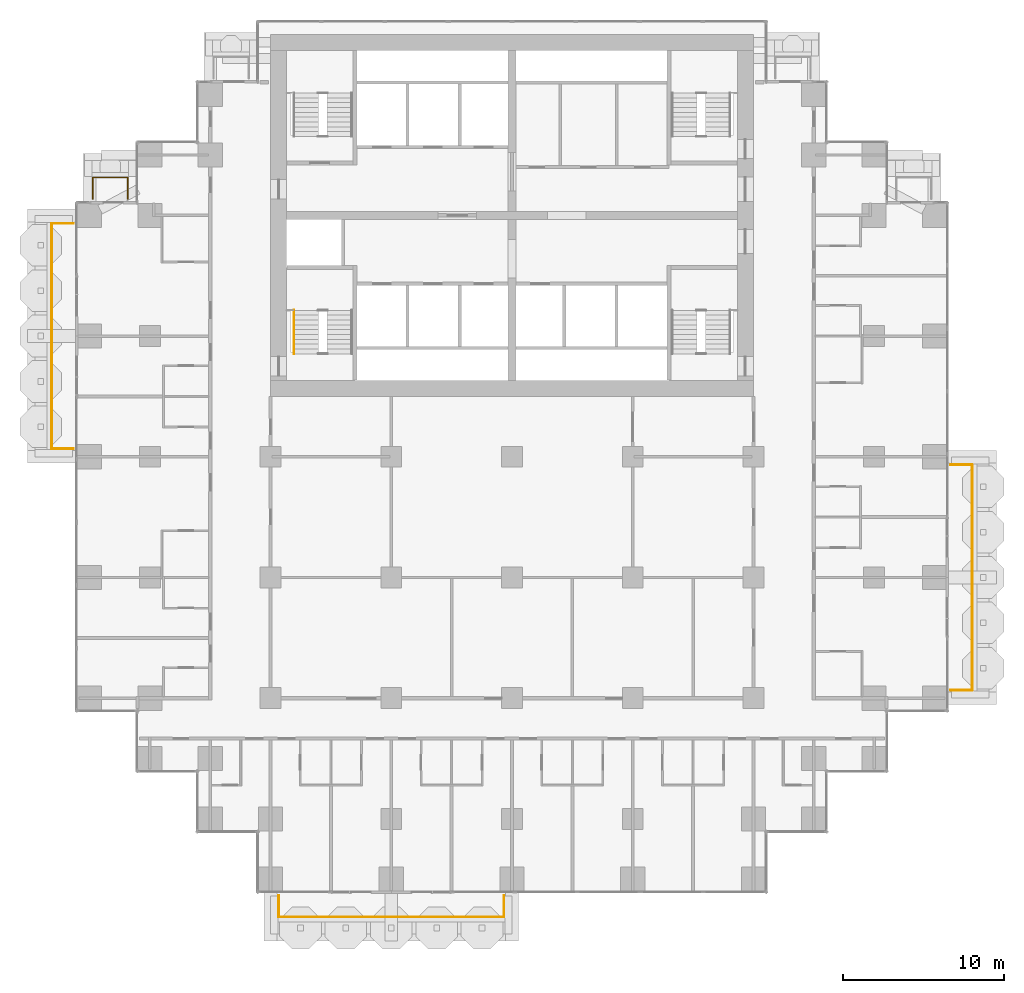
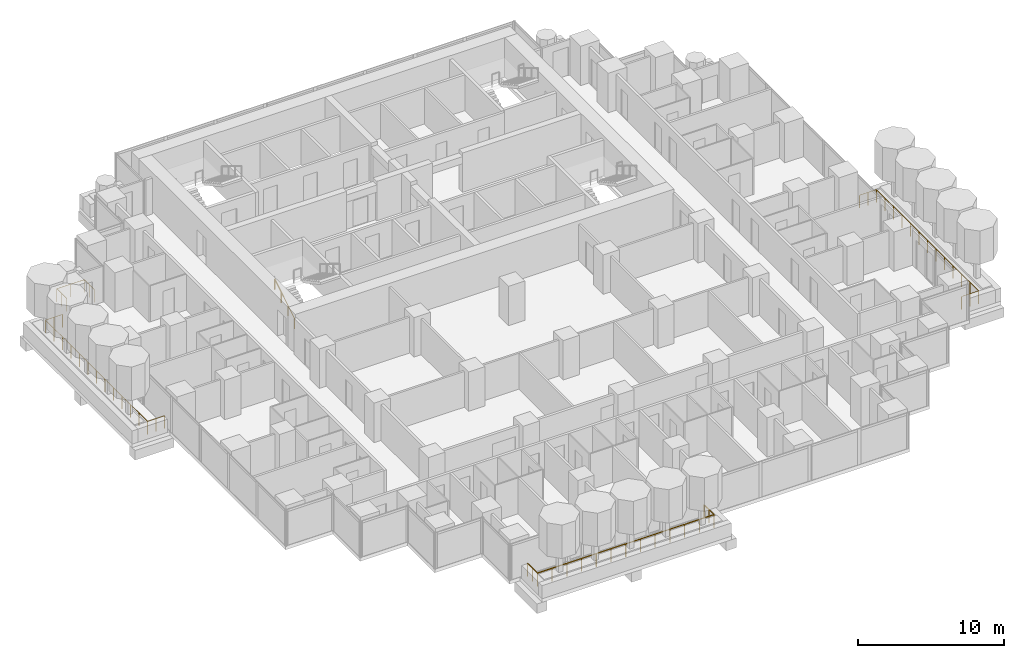
# One storey, part 17 of 19: 5 railings.
"""IFC4 building model written with IfcOpenShell, lengths in metres."""

import ifcopenshell
import ifcopenshell.guid

model = None  # the IFC model being written
_history = None  # IfcOwnerHistory: only IFC2X3 demands one
_inside = {}  # id of a spatial element -> (the spatial element, [elements in it])
_under = {}  # id of a project, library or spatial element -> (it, [spatial elements below it])
_declared = {}  # id of a project -> (the project, [libraries it declares])
_typed = {}  # id of a type object -> (the type object, [elements of that type])
_made_of = {}  # id of a material, layer set ... -> (it, [elements and type objects made of it])


def new_model(schema):
    """Start an empty IFC model of exactly this schema.

    Asked for "IFC4X3", IfcOpenShell would pick the latest addendum, in which some entities
    have other attributes; the version numbers below select the first issue.
    IFC2X3 requires an IfcOwnerHistory on every rooted entity: one is made here for all.
    """
    global model, _history
    if schema == "IFC4X3":
        model = ifcopenshell.file(schema_version=(4, 3, 0, 0))
    else:
        model = ifcopenshell.file(schema=schema)
    _inside.clear()
    _under.clear()
    _declared.clear()
    _typed.clear()
    _made_of.clear()
    _history = None
    if model.schema == "IFC2X3":
        org = make("IfcOrganization", Name="unknown")
        user = make(
            "IfcPersonAndOrganization",
            ThePerson=make("IfcPerson", FamilyName="unknown"),
            TheOrganization=org,
        )
        app = make(
            "IfcApplication",
            ApplicationDeveloper=org,
            Version="unknown",
            ApplicationFullName="unknown",
            ApplicationIdentifier="unknown",
        )
        _history = make(
            "IfcOwnerHistory",
            OwningUser=user,
            OwningApplication=app,
            ChangeAction="ADDED",
            CreationDate=0,
        )
    return model


def make(cls, **values):
    """One entity of the class cls with the attributes given. An attribute that is None is left unset."""
    return model.create_entity(
        cls, **{name: value for name, value in values.items() if value is not None}
    )


def rooted(cls, **values):
    """An entity with a GlobalId (a new one), such as an element, a storey or a relation."""
    return make(cls, GlobalId=ifcopenshell.guid.new(), OwnerHistory=_history, **values)


def si_unit(unit_type, name, prefix=None):
    """IfcSIUnit, for example si_unit("LENGTHUNIT", "METRE", prefix="MILLI")."""
    return make("IfcSIUnit", UnitType=unit_type, Prefix=prefix, Name=name)


def assignment(units):
    """IfcUnitAssignment: the units of a project."""
    return None if units is None else make("IfcUnitAssignment", Units=units)


def point(xyz):
    """IfcCartesianPoint."""
    return None if xyz is None else make("IfcCartesianPoint", Coordinates=xyz)


def direction(xyz):
    """IfcDirection."""
    return None if xyz is None else make("IfcDirection", DirectionRatios=xyz)


def frame(location, z_axis=None, x_axis=None):
    """IfcAxis2Placement3D, a coordinate frame: its origin and axes. An axis left out is left unset."""
    return make(
        "IfcAxis2Placement3D",
        Location=point(location),
        Axis=direction(z_axis),
        RefDirection=direction(x_axis),
    )


def frame_2d(location, x_axis=None):
    """IfcAxis2Placement2D, a coordinate frame in the plane: its origin and x axis."""
    return make(
        "IfcAxis2Placement2D", Location=point(location), RefDirection=direction(x_axis)
    )


def origin():
    """The frame at (0, 0, 0) with its axes left unset."""
    return frame((0.0, 0.0, 0.0))


def origin_2d():
    """The frame at (0, 0) in the plane with its x axis left unset."""
    return frame_2d((0.0, 0.0))


def place(relative_to, where):
    """IfcLocalPlacement: puts the frame where relative to a parent placement (None: the world)."""
    return make(
        "IfcLocalPlacement", PlacementRelTo=relative_to, RelativePlacement=where
    )


def context(
    kind, dimensions, precision=None, world=None, true_north=None, identifier=None
):
    """IfcGeometricRepresentationContext, for example the 3D "Model" context."""
    return make(
        "IfcGeometricRepresentationContext",
        ContextIdentifier=identifier,
        ContextType=kind,
        CoordinateSpaceDimension=dimensions,
        Precision=precision,
        WorldCoordinateSystem=world,
        TrueNorth=true_north,
    )


def subcontext(parent, identifier, kind, view, scale=None):
    """IfcGeometricRepresentationSubContext, for example "Body" below "Model"."""
    return make(
        "IfcGeometricRepresentationSubContext",
        ContextIdentifier=identifier,
        ContextType=kind,
        ParentContext=parent,
        TargetScale=scale,
        TargetView=view,
    )


def project(units=None, contexts=None):
    """IfcProject with its units and contexts."""
    return rooted(
        "IfcProject",
        Name="project",
        RepresentationContexts=contexts,
        UnitsInContext=assignment(units),
    )


def spatial(cls, under=None, at=None, **own):
    """A site, building, storey or space (cls), placed at a placement, below another one or the project."""
    s = rooted(cls, ObjectPlacement=at, **own)
    if under is not None:
        _under.setdefault(under.id(), (under, []))[1].append(s)
    return s


def profile(cls, at=None, kind="AREA", **sizes):
    """A parametric profile (cls). Its sizes go by their IFC names, for example OverallWidth=200.0."""
    return make(cls, ProfileType=kind, Position=at, **sizes)


def circle(**sizes):
    """IfcCircleProfileDef."""
    return profile("IfcCircleProfileDef", **sizes)


def extrude(swept, where, along, depth):
    """IfcExtrudedAreaSolid: the profile swept, set in the frame where, extruded along a direction by depth."""
    return make(
        "IfcExtrudedAreaSolid",
        SweptArea=swept,
        Position=where,
        ExtrudedDirection=direction(along),
        Depth=depth,
    )


def shape(context_of_items, identifier, shape_type, items):
    """IfcShapeRepresentation: the items that make up one representation, for example the "Body"."""
    return make(
        "IfcShapeRepresentation",
        ContextOfItems=context_of_items,
        RepresentationIdentifier=identifier,
        RepresentationType=shape_type,
        Items=items,
    )


def material(Name=None, Category=None):
    """IfcMaterial."""
    return make("IfcMaterial", Name=Name, Category=Category)


def made_of(thing, what):
    """Note that an element or type object is made of a material, layer set ...; save() writes the relation."""
    if what is not None:
        _made_of.setdefault(what.id(), (what, []))[1].append(thing)
    return thing


def type_object(cls, material=None, **own):
    """A type object (cls), such as IfcWallType, which elements share."""
    return made_of(rooted(cls, **own), material)


def element(
    cls,
    number,
    at=None,
    inside=None,
    cuts=None,
    type_object=None,
    material=None,
    context=None,
    identifier="Body",
    shape_type=None,
    held_by="IfcProductDefinitionShape",
    body=None,
    shapes=None,
    **own,
):
    """One element of the class cls, such as IfcWall. Its Tag is "e" and its number.

    at: its placement. inside: the storey or other place that contains it. cuts: it is an
    opening in that element (IfcRelVoidsElement). A single representation is given by context,
    identifier, shape_type and body (its items); several are given by shapes. held_by: the class
    of the entity that holds the representations. save() writes the other relations.
    """
    e = rooted(cls, Tag="e%d" % number, ObjectPlacement=at, **own)
    if body is not None:
        shapes = [shape(context, identifier, shape_type, body)]
    if shapes is not None:
        e.Representation = make(held_by, Representations=shapes)
    if inside is not None:
        _inside.setdefault(inside.id(), (inside, []))[1].append(e)
    if cuts is not None:
        rooted(
            "IfcRelVoidsElement", RelatingBuildingElement=cuts, RelatedOpeningElement=e
        )
    if type_object is not None:
        _typed.setdefault(type_object.id(), (type_object, []))[1].append(e)
    return made_of(e, material)


def aggregate(whole, parts):
    """IfcRelAggregates: a whole, such as a stair, and the parts it consists of."""
    return rooted("IfcRelAggregates", RelatingObject=whole, RelatedObjects=parts)


def save(model, path):
    """Write the relations noted so far, then the file.

    IfcRelAggregates (storeys below a building ...), IfcRelContainedInSpatialStructure (elements
    in a storey), IfcRelDefinesByType, IfcRelAssociatesMaterial and IfcRelDeclares: one each for
    every whole, place, type object, material and project.
    """
    for whole, parts in _under.values():
        aggregate(whole, parts)
    for where, things in _inside.values():
        rooted(
            "IfcRelContainedInSpatialStructure",
            RelatedElements=things,
            RelatingStructure=where,
        )
    for kind, things in _typed.values():
        rooted("IfcRelDefinesByType", RelatedObjects=things, RelatingType=kind)
    for what, things in _made_of.values():
        rooted("IfcRelAssociatesMaterial", RelatedObjects=things, RelatingMaterial=what)
    for by, libraries in _declared.values():
        rooted("IfcRelDeclares", RelatingContext=by, RelatedDefinitions=libraries)
    model.write(path)


model = new_model("IFC4")

# Units and contexts
model_context = context("Model", 3, precision=1e-05, world=origin(), true_north=direction((0.0, 1.0)))
body_context = subcontext(model_context, "Body", "Model", "MODEL_VIEW")
ifc_project = project(units=[si_unit("LENGTHUNIT", "METRE"), si_unit("AREAUNIT", "SQUARE_METRE"), si_unit("VOLUMEUNIT", "CUBIC_METRE"), si_unit("PLANEANGLEUNIT", "RADIAN"), si_unit("MASSUNIT", "GRAM", prefix="KILO")], contexts=[model_context])

# Site, building, storey
site_placement = place(None, origin())
site = spatial("IfcSite", under=ifc_project, at=site_placement, CompositionType="ELEMENT")
building_placement = place(site_placement, origin())
building = spatial("IfcBuilding", under=site, at=building_placement, Name="Pilkhan Gate Tower", CompositionType="ELEMENT")
storey_placement = place(building_placement, frame((0.0, 0.0, 69.199951171875)))
storey = spatial("IfcBuildingStorey", under=building, at=storey_placement, Name="L15", CompositionType="ELEMENT", Elevation=69.199951171875)

# Railings
ifc_material_1 = material(Name="Pale anodised aluminium posts, laminated glass infill", Category="aluminium")
railing_type_1 = type_object("IfcRailingType", Name="Balcony guard G1", PredefinedType="BALUSTRADE", material=ifc_material_1)
railing_1_placement = place(storey_placement, frame((60.5, 40.25, 0.0)))
element("IfcRailing", 1, at=railing_1_placement, inside=storey, type_object=railing_type_1, Name="Balcony guard L15 S", PredefinedType="BALUSTRADE", context=body_context, shape_type="SweptSolid", body=[
    extrude(circle(Radius=0.02392578125, at=origin_2d()), frame((0.0, 0.0, 1.076171875), z_axis=(0.0, -1.0, 0.0), x_axis=(1.0, 0.0, 0.0)), (0.0, 0.0, 1.0), 1.35009765625),
    extrude(circle(Radius=0.02392578125, at=origin_2d()), frame((0.0, -1.35009765625, 1.076171875), z_axis=(1.0, 0.0, 0.0), x_axis=(0.0, 1.0, 0.0)), (0.0, 0.0, 1.0), 14.0),
    extrude(circle(Radius=0.02392578125, at=origin_2d()), frame((14.0, -1.35009765625, 1.076171875), z_axis=(0.0, 1.0, 0.0), x_axis=(-1.0, 0.0, 0.0)), (0.0, 0.0, 1.0), 1.35009765625),
    extrude(circle(Radius=0.02099609375, at=origin_2d()), origin(), (0.0, 0.0, 1.0), 1.052001953125),
    extrude(circle(Radius=0.02099609375, at=origin_2d()), frame((0.0, -0.675048828125, 0.0)), (0.0, 0.0, 1.0), 1.052001953125),
    extrude(circle(Radius=0.02099609375, at=origin_2d()), frame((0.0, -1.35009765625, 0.0)), (0.0, 0.0, 1.0), 1.052001953125),
    extrude(circle(Radius=0.02099609375, at=origin_2d()), frame((1.166748046875, -1.35009765625, 0.0)), (0.0, 0.0, 1.0), 1.052001953125),
    extrude(circle(Radius=0.02099609375, at=origin_2d()), frame((2.333251953125, -1.35009765625, 0.0)), (0.0, 0.0, 1.0), 1.052001953125),
    extrude(circle(Radius=0.02099609375, at=origin_2d()), frame((3.5, -1.35009765625, 0.0)), (0.0, 0.0, 1.0), 1.052001953125),
    extrude(circle(Radius=0.02099609375, at=origin_2d()), frame((4.666748046875, -1.35009765625, 0.0)), (0.0, 0.0, 1.0), 1.052001953125),
    extrude(circle(Radius=0.02099609375, at=origin_2d()), frame((5.833251953125, -1.35009765625, 0.0)), (0.0, 0.0, 1.0), 1.052001953125),
    extrude(circle(Radius=0.02099609375, at=origin_2d()), frame((7.0, -1.35009765625, 0.0)), (0.0, 0.0, 1.0), 1.052001953125),
    extrude(circle(Radius=0.02099609375, at=origin_2d()), frame((8.166748046875, -1.35009765625, 0.0)), (0.0, 0.0, 1.0), 1.052001953125),
    extrude(circle(Radius=0.02099609375, at=origin_2d()), frame((9.333251953125, -1.35009765625, 0.0)), (0.0, 0.0, 1.0), 1.052001953125),
    extrude(circle(Radius=0.02099609375, at=origin_2d()), frame((10.5, -1.35009765625, 0.0)), (0.0, 0.0, 1.0), 1.052001953125),
    extrude(circle(Radius=0.02099609375, at=origin_2d()), frame((11.666748046875, -1.35009765625, 0.0)), (0.0, 0.0, 1.0), 1.052001953125),
    extrude(circle(Radius=0.02099609375, at=origin_2d()), frame((12.833251953125, -1.35009765625, 0.0)), (0.0, 0.0, 1.0), 1.052001953125),
    extrude(circle(Radius=0.02099609375, at=origin_2d()), frame((14.0, -1.35009765625, 0.0)), (0.0, 0.0, 1.0), 1.052001953125),
    extrude(circle(Radius=0.02099609375, at=origin_2d()), frame((14.0, -0.675048828125, 0.0)), (0.0, 0.0, 1.0), 1.052001953125),
    extrude(circle(Radius=0.02099609375, at=origin_2d()), frame((14.0, 0.0, 0.0)), (0.0, 0.0, 1.0), 1.052001953125),
])
railing_2_placement = place(storey_placement, frame((102.25, 53.0, 0.0)))
element("IfcRailing", 2, at=railing_2_placement, inside=storey, type_object=railing_type_1, Name="Balcony guard L15 E", PredefinedType="BALUSTRADE", context=body_context, shape_type="SweptSolid", body=[
    extrude(circle(Radius=0.02392578125, at=origin_2d()), frame((0.0, 0.0, 1.076171875), z_axis=(1.0, 0.0, 0.0), x_axis=(0.0, 1.0, 0.0)), (0.0, 0.0, 1.0), 1.35009765625),
    extrude(circle(Radius=0.02392578125, at=origin_2d()), frame((1.35009765625, 0.0, 1.076171875), z_axis=(0.0, 1.0, 0.0), x_axis=(-1.0, 0.0, 0.0)), (0.0, 0.0, 1.0), 14.0),
    extrude(circle(Radius=0.02392578125, at=origin_2d()), frame((1.35009765625, 14.0, 1.076171875), z_axis=(-1.0, 0.0, 0.0), x_axis=(0.0, -1.0, 0.0)), (0.0, 0.0, 1.0), 1.35009765625),
    extrude(circle(Radius=0.02099609375, at=origin_2d()), origin(), (0.0, 0.0, 1.0), 1.052001953125),
    extrude(circle(Radius=0.02099609375, at=origin_2d()), frame((0.675048828125, 0.0, 0.0)), (0.0, 0.0, 1.0), 1.052001953125),
    extrude(circle(Radius=0.02099609375, at=origin_2d()), frame((1.35009765625, 0.0, 0.0)), (0.0, 0.0, 1.0), 1.052001953125),
    extrude(circle(Radius=0.02099609375, at=origin_2d()), frame((1.35009765625, 1.166748046875, 0.0)), (0.0, 0.0, 1.0), 1.052001953125),
    extrude(circle(Radius=0.02099609375, at=origin_2d()), frame((1.35009765625, 2.333251953125, 0.0)), (0.0, 0.0, 1.0), 1.052001953125),
    extrude(circle(Radius=0.02099609375, at=origin_2d()), frame((1.35009765625, 3.5, 0.0)), (0.0, 0.0, 1.0), 1.052001953125),
    extrude(circle(Radius=0.02099609375, at=origin_2d()), frame((1.35009765625, 4.666748046875, 0.0)), (0.0, 0.0, 1.0), 1.052001953125),
    extrude(circle(Radius=0.02099609375, at=origin_2d()), frame((1.35009765625, 5.833251953125, 0.0)), (0.0, 0.0, 1.0), 1.052001953125),
    extrude(circle(Radius=0.02099609375, at=origin_2d()), frame((1.35009765625, 7.0, 0.0)), (0.0, 0.0, 1.0), 1.052001953125),
    extrude(circle(Radius=0.02099609375, at=origin_2d()), frame((1.35009765625, 8.166748046875, 0.0)), (0.0, 0.0, 1.0), 1.052001953125),
    extrude(circle(Radius=0.02099609375, at=origin_2d()), frame((1.35009765625, 9.333251953125, 0.0)), (0.0, 0.0, 1.0), 1.052001953125),
    extrude(circle(Radius=0.02099609375, at=origin_2d()), frame((1.35009765625, 10.5, 0.0)), (0.0, 0.0, 1.0), 1.052001953125),
    extrude(circle(Radius=0.02099609375, at=origin_2d()), frame((1.35009765625, 11.666748046875, 0.0)), (0.0, 0.0, 1.0), 1.052001953125),
    extrude(circle(Radius=0.02099609375, at=origin_2d()), frame((1.35009765625, 12.833251953125, 0.0)), (0.0, 0.0, 1.0), 1.052001953125),
    extrude(circle(Radius=0.02099609375, at=origin_2d()), frame((1.35009765625, 14.0, 0.0)), (0.0, 0.0, 1.0), 1.052001953125),
    extrude(circle(Radius=0.02099609375, at=origin_2d()), frame((0.675048828125, 14.0, 0.0)), (0.0, 0.0, 1.0), 1.052001953125),
    extrude(circle(Radius=0.02099609375, at=origin_2d()), frame((0.0, 14.0, 0.0)), (0.0, 0.0, 1.0), 1.052001953125),
])
railing_3_placement = place(storey_placement, frame((48.949951171875, 83.52001953125, 0.0)))
element("IfcRailing", 3, at=railing_3_placement, inside=storey, type_object=railing_type_1, Name="Balcony guard L15 N", PredefinedType="BALUSTRADE", context=body_context, shape_type="SweptSolid", body=[
    extrude(circle(Radius=0.02392578125, at=origin_2d()), frame((0.0, 0.0, 1.076171875), z_axis=(0.0, 1.0, 0.0), x_axis=(-1.0, 0.0, 0.0)), (0.0, 0.0, 1.0), 1.330078125),
    extrude(circle(Radius=0.02392578125, at=origin_2d()), frame((0.0, 1.330078125, 1.076171875), z_axis=(1.0, 0.0, 0.0), x_axis=(0.0, 1.0, 0.0)), (0.0, 0.0, 1.0), 2.179931640625),
    extrude(circle(Radius=0.02392578125, at=origin_2d()), frame((2.179931640625, 1.330078125, 1.076171875), z_axis=(0.0, -1.0, 0.0), x_axis=(1.0, 0.0, 0.0)), (0.0, 0.0, 1.0), 1.330078125),
    extrude(circle(Radius=0.02099609375, at=origin_2d()), origin(), (0.0, 0.0, 1.0), 1.052001953125),
    extrude(circle(Radius=0.02099609375, at=origin_2d()), frame((0.0, 0.6650390625, 0.0)), (0.0, 0.0, 1.0), 1.052001953125),
    extrude(circle(Radius=0.02099609375, at=origin_2d()), frame((0.0, 1.330078125, 0.0)), (0.0, 0.0, 1.0), 1.052001953125),
    extrude(circle(Radius=0.02099609375, at=origin_2d()), frame((1.08984375, 1.330078125, 0.0)), (0.0, 0.0, 1.0), 1.052001953125),
    extrude(circle(Radius=0.02099609375, at=origin_2d()), frame((2.179931640625, 1.330078125, 0.0)), (0.0, 0.0, 1.0), 1.052001953125),
    extrude(circle(Radius=0.02099609375, at=origin_2d()), frame((2.179931640625, 0.6650390625, 0.0)), (0.0, 0.0, 1.0), 1.052001953125),
    extrude(circle(Radius=0.02099609375, at=origin_2d()), frame((2.179931640625, 0.0, 0.0)), (0.0, 0.0, 1.0), 1.052001953125),
])
railing_4_placement = place(storey_placement, frame((47.75, 68.0, 0.0)))
element("IfcRailing", 4, at=railing_4_placement, inside=storey, type_object=railing_type_1, Name="Balcony guard L15 W", PredefinedType="BALUSTRADE", context=body_context, shape_type="SweptSolid", body=[
    extrude(circle(Radius=0.02392578125, at=origin_2d()), frame((0.0, 0.0, 1.076171875), z_axis=(-1.0, 0.0, 0.0), x_axis=(0.0, -1.0, 0.0)), (0.0, 0.0, 1.0), 1.35009765625),
    extrude(circle(Radius=0.02392578125, at=origin_2d()), frame((-1.35009765625, 0.0, 1.076171875), z_axis=(0.0, 1.0, 0.0), x_axis=(-1.0, 0.0, 0.0)), (0.0, 0.0, 1.0), 14.0),
    extrude(circle(Radius=0.02392578125, at=origin_2d()), frame((-1.35009765625, 14.0, 1.076171875), z_axis=(1.0, 0.0, 0.0), x_axis=(0.0, 1.0, 0.0)), (0.0, 0.0, 1.0), 1.35009765625),
    extrude(circle(Radius=0.02099609375, at=origin_2d()), origin(), (0.0, 0.0, 1.0), 1.052001953125),
    extrude(circle(Radius=0.02099609375, at=origin_2d()), frame((-0.675048828125, 0.0, 0.0)), (0.0, 0.0, 1.0), 1.052001953125),
    extrude(circle(Radius=0.02099609375, at=origin_2d()), frame((-1.35009765625, 0.0, 0.0)), (0.0, 0.0, 1.0), 1.052001953125),
    extrude(circle(Radius=0.02099609375, at=origin_2d()), frame((-1.35009765625, 1.166748046875, 0.0)), (0.0, 0.0, 1.0), 1.052001953125),
    extrude(circle(Radius=0.02099609375, at=origin_2d()), frame((-1.35009765625, 2.333251953125, 0.0)), (0.0, 0.0, 1.0), 1.052001953125),
    extrude(circle(Radius=0.02099609375, at=origin_2d()), frame((-1.35009765625, 3.5, 0.0)), (0.0, 0.0, 1.0), 1.052001953125),
    extrude(circle(Radius=0.02099609375, at=origin_2d()), frame((-1.35009765625, 4.666748046875, 0.0)), (0.0, 0.0, 1.0), 1.052001953125),
    extrude(circle(Radius=0.02099609375, at=origin_2d()), frame((-1.35009765625, 5.833251953125, 0.0)), (0.0, 0.0, 1.0), 1.052001953125),
    extrude(circle(Radius=0.02099609375, at=origin_2d()), frame((-1.35009765625, 7.0, 0.0)), (0.0, 0.0, 1.0), 1.052001953125),
    extrude(circle(Radius=0.02099609375, at=origin_2d()), frame((-1.35009765625, 8.166748046875, 0.0)), (0.0, 0.0, 1.0), 1.052001953125),
    extrude(circle(Radius=0.02099609375, at=origin_2d()), frame((-1.35009765625, 9.333251953125, 0.0)), (0.0, 0.0, 1.0), 1.052001953125),
    extrude(circle(Radius=0.02099609375, at=origin_2d()), frame((-1.35009765625, 10.5, 0.0)), (0.0, 0.0, 1.0), 1.052001953125),
    extrude(circle(Radius=0.02099609375, at=origin_2d()), frame((-1.35009765625, 11.666748046875, 0.0)), (0.0, 0.0, 1.0), 1.052001953125),
    extrude(circle(Radius=0.02099609375, at=origin_2d()), frame((-1.35009765625, 12.833251953125, 0.0)), (0.0, 0.0, 1.0), 1.052001953125),
    extrude(circle(Radius=0.02099609375, at=origin_2d()), frame((-1.35009765625, 14.0, 0.0)), (0.0, 0.0, 1.0), 1.052001953125),
    extrude(circle(Radius=0.02099609375, at=origin_2d()), frame((-0.675048828125, 14.0, 0.0)), (0.0, 0.0, 1.0), 1.052001953125),
    extrude(circle(Radius=0.02099609375, at=origin_2d()), frame((0.0, 14.0, 0.0)), (0.0, 0.0, 1.0), 1.052001953125),
])
ifc_material_2 = material(Name="Black powder-coated steel tube", Category="steel")
railing_type_2 = type_object("IfcRailingType", Name="Stair handrail HR1", PredefinedType="HANDRAIL", material=ifc_material_2)
railing_5_placement = place(storey_placement, frame((61.449951171875, 73.89990234375, 0.0)))
element("IfcRailing", 5, at=railing_5_placement, inside=storey, type_object=railing_type_2, Name="Stair ST2 handrail L15", PredefinedType="HANDRAIL", context=body_context, shape_type="SweptSolid", body=[
    extrude(circle(Radius=0.02392578125, at=origin_2d()), frame((0.0, 0.0, 0.8759765625), z_axis=(0.0, 0.853278019476, 0.521456250781), x_axis=(-1.0, 0.0, 0.0)), (0.0, 0.0, 1.0), 3.16455078125),
    extrude(circle(Radius=0.02099609375, at=origin_2d()), origin(), (0.0, 0.0, 1.0), 0.851806640625),
    extrude(circle(Radius=0.02099609375, at=origin_2d()), frame((0.0, 0.900146484375, 0.550048828125)), (0.0, 0.0, 1.0), 0.851806640625),
    extrude(circle(Radius=0.02099609375, at=origin_2d()), frame((0.0, 1.800048828125, 1.10009765625)), (0.0, 0.0, 1.0), 0.851806640625),
    extrude(circle(Radius=0.02099609375, at=origin_2d()), frame((0.0, 2.7001953125, 1.650146484375)), (0.0, 0.0, 1.0), 0.851806640625),
])

save(model, "model.ifc")
